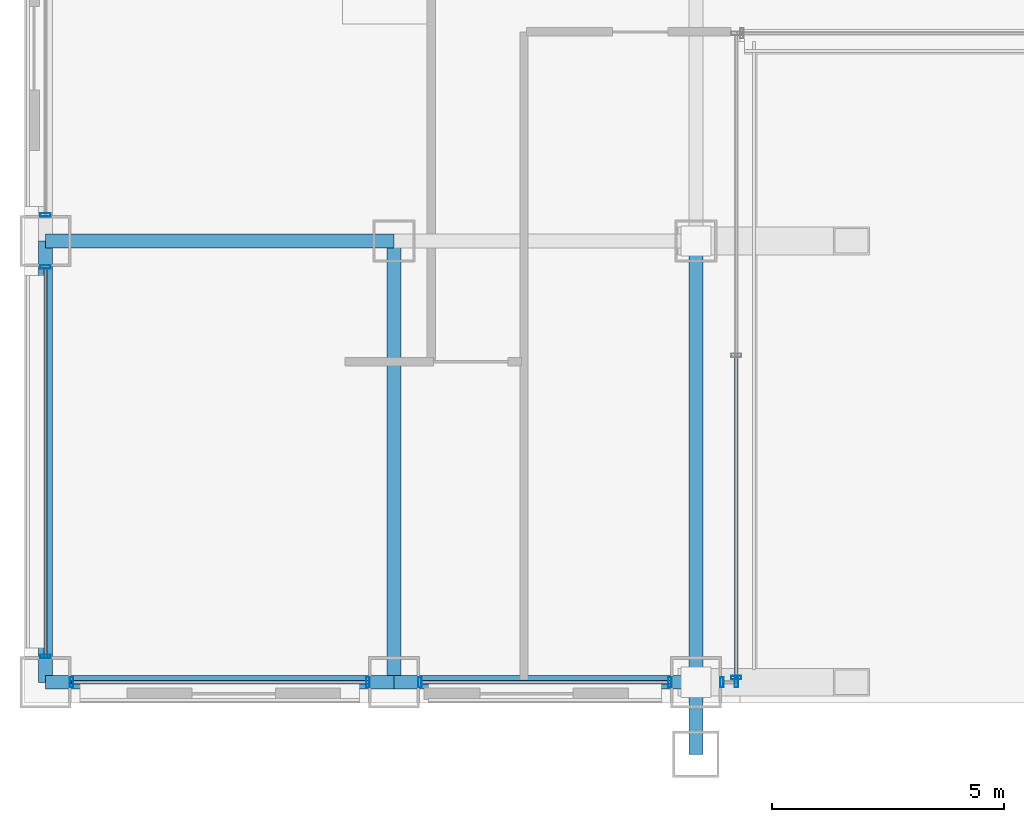
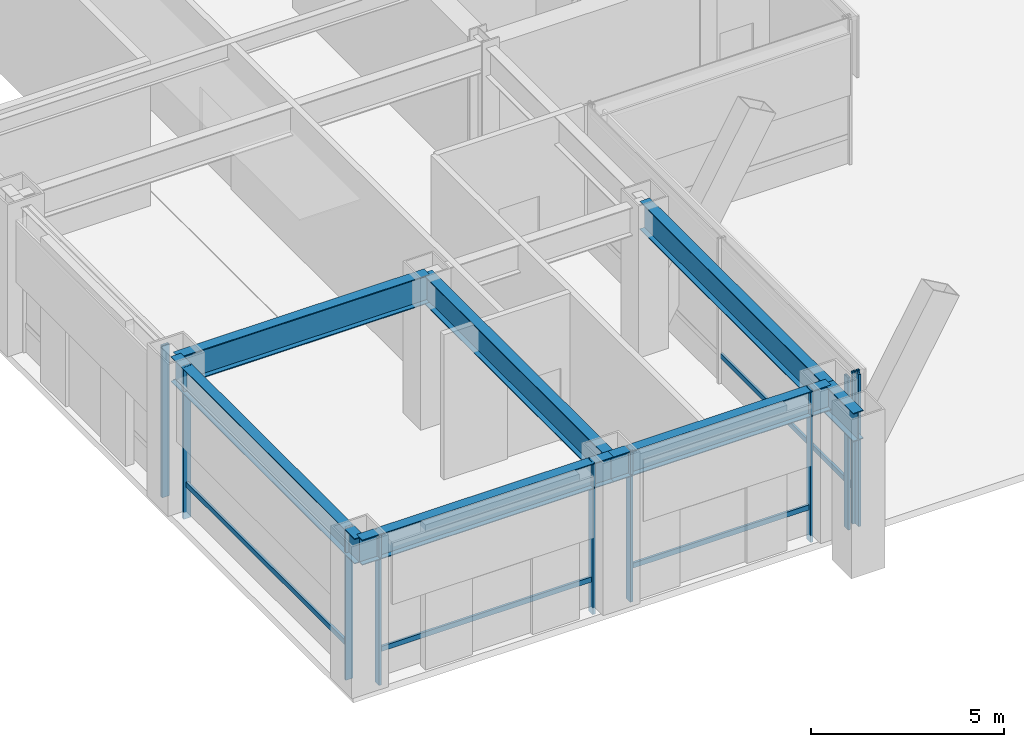
# One storey, part 2 of 37: 14 members, 7 beams, 6 elements without a shape of their own.
"""IFC4 building model written with IfcOpenShell, lengths in metres."""

from ifc_helpers import new_model, si_unit, direction, frame, origin, origin_2d, place, context, subcontext, project, spatial, hollow_rectangle, i_section, extrude, material, layer, layer_set, material_profile, profile_set, type_object, element, aggregate, save


model = new_model("IFC4")

# Units and contexts
model_context = context("Model", 3, precision=1e-05, world=origin(), true_north=direction((0.0, 1.0)))
body_context = subcontext(model_context, "Body", "Model", "MODEL_VIEW")
ifc_project = project(units=[si_unit("LENGTHUNIT", "METRE"), si_unit("AREAUNIT", "SQUARE_METRE"), si_unit("VOLUMEUNIT", "CUBIC_METRE"), si_unit("PLANEANGLEUNIT", "RADIAN"), si_unit("MASSUNIT", "GRAM", prefix="KILO")], contexts=[model_context])

# Site, building, storey
site_placement = place(None, origin())
site = spatial("IfcSite", under=ifc_project, at=site_placement, CompositionType="ELEMENT")
building_placement = place(site_placement, origin())
building = spatial("IfcBuilding", under=site, at=building_placement, Name="Brelmoor Portico Tower", CompositionType="ELEMENT")
storey_placement = place(building_placement, origin())
storey = spatial("IfcBuildingStorey", under=building, at=storey_placement, Name="L00", CompositionType="ELEMENT", Elevation=0.0)

# Beams
ifc_material_1 = material(Name="Steel Q355B", Category="steel")
ifc_material_profile_1 = material_profile(ifc_material_1, i_section(OverallWidth=0.300048828125, OverallDepth=0.89990234375, WebThickness=0.01611328125, FlangeThickness=0.028076171875, at=origin_2d()), Name="HN 900x300x16x28")
ifc_profile_set_1 = profile_set([ifc_material_profile_1], Name="Steel Q355B")
beam_type_1 = type_object("IfcBeamType", Name="BM-PG-900", PredefinedType="BEAM", material=ifc_profile_set_1)
beam_1_placement = place(storey_placement, frame((-21.050048828125, -27.550048828125, 4.1298828125), z_axis=(0.0, 1.0, 0.0), x_axis=(-1.0, 0.0, 0.0)))
element("IfcBeam", 1, at=beam_1_placement, inside=storey, type_object=beam_type_1, Name="L00 Primary Floor Girder PG-01", PredefinedType="BEAM", context=body_context, shape_type="SweptSolid", body=[
    extrude(i_section(OverallWidth=0.300048828125, OverallDepth=0.89990234375, WebThickness=0.01611328125, FlangeThickness=0.028076171875, at=origin_2d()), origin(), (0.0, 0.0, 1.0), 9.5),
])
beam_2_placement = place(storey_placement, frame((-14.550048828125, -29.10009765625, 4.1298828125), z_axis=(0.0, 1.0, 0.0), x_axis=(-1.0, 0.0, 0.0)))
element("IfcBeam", 2, at=beam_2_placement, inside=storey, type_object=beam_type_1, Name="L00 Primary Floor Girder PG-03", PredefinedType="BEAM", context=body_context, shape_type="SweptSolid", body=[
    extrude(i_section(OverallWidth=0.300048828125, OverallDepth=0.89990234375, WebThickness=0.01611328125, FlangeThickness=0.028076171875, at=origin_2d()), origin(), (0.0, 0.0, 1.0), 1.550048828125),
])
beam_3_placement = place(storey_placement, frame((-14.550048828125, -27.550048828125, 4.1298828125), z_axis=(0.0, 1.0, 0.0), x_axis=(-1.0, 0.0, 0.0)))
element("IfcBeam", 3, at=beam_3_placement, inside=storey, type_object=beam_type_1, Name="L00 Primary Floor Girder PG-04", PredefinedType="BEAM", context=body_context, shape_type="SweptSolid", body=[
    extrude(i_section(OverallWidth=0.300048828125, OverallDepth=0.89990234375, WebThickness=0.01611328125, FlangeThickness=0.028076171875, at=origin_2d()), origin(), (0.0, 0.0, 1.0), 9.5),
])
beam_4_placement = place(storey_placement, frame((-28.550048828125, -18.050048828125, 4.1298828125), z_axis=(1.0, 0.0, 0.0), x_axis=(0.0, 1.0, 0.0)))
element("IfcBeam", 4, at=beam_4_placement, inside=storey, type_object=beam_type_1, Name="L00 Primary Floor Girder PG-21", PredefinedType="BEAM", context=body_context, shape_type="SweptSolid", body=[
    extrude(i_section(OverallWidth=0.300048828125, OverallDepth=0.89990234375, WebThickness=0.01611328125, FlangeThickness=0.028076171875, at=origin_2d()), origin(), (0.0, 0.0, 1.0), 7.5),
])
ifc_material_profile_2 = material_profile(ifc_material_1, i_section(OverallWidth=0.300048828125, OverallDepth=0.800048828125, WebThickness=0.013916015625, FlangeThickness=0.02587890625, at=origin_2d()), Name="HN 800x300x14x26")
ifc_profile_set_2 = profile_set([ifc_material_profile_2], Name="Steel Q355B")
beam_type_2 = type_object("IfcBeamType", Name="BM-SP-800", PredefinedType="SPANDREL", material=ifc_profile_set_2)
beam_5_placement = place(storey_placement, frame((-28.550048828125, -27.550048828125, 4.179931640625), z_axis=(1.0, 0.0, 0.0), x_axis=(0.0, 1.0, 0.0)))
element("IfcBeam", 5, at=beam_5_placement, inside=storey, type_object=beam_type_2, Name="L00 Perimeter Spandrel Beam SP-01", PredefinedType="SPANDREL", context=body_context, shape_type="SweptSolid", body=[
    extrude(i_section(OverallWidth=0.300048828125, OverallDepth=0.800048828125, WebThickness=0.013916015625, FlangeThickness=0.02587890625, at=origin_2d()), origin(), (0.0, 0.0, 1.0), 7.5),
])
beam_6_placement = place(storey_placement, frame((-21.050048828125, -27.550048828125, 4.179931640625), z_axis=(1.0, 0.0, 0.0), x_axis=(0.0, 1.0, 0.0)))
element("IfcBeam", 6, at=beam_6_placement, inside=storey, type_object=beam_type_2, Name="L00 Perimeter Spandrel Beam SP-02", PredefinedType="SPANDREL", context=body_context, shape_type="SweptSolid", body=[
    extrude(i_section(OverallWidth=0.300048828125, OverallDepth=0.800048828125, WebThickness=0.013916015625, FlangeThickness=0.02587890625, at=origin_2d()), origin(), (0.0, 0.0, 1.0), 6.5),
])
beam_7_placement = place(storey_placement, frame((-28.550048828125, -27.550048828125, 4.179931640625), z_axis=(0.0, 1.0, 0.0), x_axis=(-1.0, 0.0, 0.0)))
element("IfcBeam", 7, at=beam_7_placement, inside=storey, type_object=beam_type_2, Name="L00 Perimeter Spandrel Beam SP-09", PredefinedType="SPANDREL", context=body_context, shape_type="SweptSolid", body=[
    extrude(i_section(OverallWidth=0.300048828125, OverallDepth=0.800048828125, WebThickness=0.013916015625, FlangeThickness=0.02587890625, at=origin_2d()), origin(), (0.0, 0.0, 1.0), 9.5),
])

# Curtain wall, members
ifc_material_2 = material(Name="Anodised Aluminium Alloy 6063-T6", Category="aluminium")
ifc_layer = layer(ifc_material_2, 0.179931640625)
ifc_layer_set = layer_set([ifc_layer], Name="Anodised Aluminium Alloy 6063-T6")
curtain_wall_type = type_object("IfcCurtainWallType", Name="CW-PODIUM-ARCH", PredefinedType="NOTDEFINED", material=ifc_layer_set)
curtain_wall_1_placement = place(storey_placement, origin())
curtain_wall_1 = element("IfcCurtainWall", 8, at=curtain_wall_1_placement, inside=storey, type_object=curtain_wall_type, Name="L00 Curtain Wall CW-L00-01-1", PredefinedType="NOTDEFINED")
ifc_material_profile_3 = material_profile(ifc_material_2, hollow_rectangle(XDim=0.074951171875, YDim=0.219970703125, WallThickness=0.0048828125, at=origin_2d()), Name="ALU MULLION 75x220")
ifc_profile_set_3 = profile_set([ifc_material_profile_3], Name="Anodised Aluminium Alloy 6063-T6")
member_type_1 = type_object("IfcMemberType", Name="MB-CW-MULL-220", PredefinedType="MULLION", material=ifc_profile_set_3)
member_1_placement = place(storey_placement, frame((-27.989990234375, -27.550048828125, -0.219970703125), z_axis=(0.0, 0.0, 1.0), x_axis=(1.0, 0.0, 0.0)))
member_1 = element("IfcMember", 9, at=member_1_placement, type_object=member_type_1, Name="CW-L00-01-1 Mullion 00", PredefinedType="MULLION", context=body_context, shape_type="SweptSolid", body=[
    extrude(hollow_rectangle(XDim=0.074951171875, YDim=0.219970703125, WallThickness=0.0048828125, at=origin_2d()), origin(), (0.0, 0.0, 1.0), 4.800048828125),
])
member_2_placement = place(storey_placement, frame((-21.610107421875, -27.550048828125, -0.219970703125), z_axis=(0.0, 0.0, 1.0), x_axis=(1.0, 0.0, 0.0)))
member_2 = element("IfcMember", 10, at=member_2_placement, type_object=member_type_1, Name="CW-L00-01-1 Mullion 01", PredefinedType="MULLION", context=body_context, shape_type="SweptSolid", body=[
    extrude(hollow_rectangle(XDim=0.074951171875, YDim=0.219970703125, WallThickness=0.0048828125, at=origin_2d()), origin(), (0.0, 0.0, 1.0), 4.800048828125),
])

curtain_wall_2_placement = place(storey_placement, origin())
curtain_wall_2 = element("IfcCurtainWall", 11, at=curtain_wall_2_placement, inside=storey, type_object=curtain_wall_type, Name="L00 Curtain Wall CW-L00-01-2", PredefinedType="NOTDEFINED")
member_3_placement = place(storey_placement, frame((-20.489990234375, -27.550048828125, -0.219970703125), z_axis=(0.0, 0.0, 1.0), x_axis=(1.0, 0.0, 0.0)))
member_3 = element("IfcMember", 12, at=member_3_placement, type_object=member_type_1, Name="CW-L00-01-2 Mullion 00", PredefinedType="MULLION", context=body_context, shape_type="SweptSolid", body=[
    extrude(hollow_rectangle(XDim=0.074951171875, YDim=0.219970703125, WallThickness=0.0048828125, at=origin_2d()), origin(), (0.0, 0.0, 1.0), 4.800048828125),
])
member_4_placement = place(storey_placement, frame((-15.110107421875, -27.550048828125, -0.219970703125), z_axis=(0.0, 0.0, 1.0), x_axis=(1.0, 0.0, 0.0)))
member_4 = element("IfcMember", 13, at=member_4_placement, type_object=member_type_1, Name="CW-L00-01-2 Mullion 01", PredefinedType="MULLION", context=body_context, shape_type="SweptSolid", body=[
    extrude(hollow_rectangle(XDim=0.074951171875, YDim=0.219970703125, WallThickness=0.0048828125, at=origin_2d()), origin(), (0.0, 0.0, 1.0), 4.800048828125),
])

curtain_wall_3_placement = place(storey_placement, origin())
curtain_wall_3 = element("IfcCurtainWall", 14, at=curtain_wall_3_placement, inside=storey, type_object=curtain_wall_type, Name="L00 Curtain Wall CW-L00-01-3", PredefinedType="NOTDEFINED")
member_5_placement = place(storey_placement, frame((-13.989990234375, -27.550048828125, -0.219970703125), z_axis=(0.0, 0.0, 1.0), x_axis=(1.0, 0.0, 0.0)))
member_5 = element("IfcMember", 15, at=member_5_placement, type_object=member_type_1, Name="CW-L00-01-3 Mullion 00", PredefinedType="MULLION", context=body_context, shape_type="SweptSolid", body=[
    extrude(hollow_rectangle(XDim=0.074951171875, YDim=0.219970703125, WallThickness=0.0048828125, at=origin_2d()), origin(), (0.0, 0.0, 1.0), 4.800048828125),
])
member_6_placement = place(storey_placement, frame((-13.679931640625, -27.550048828125, -0.219970703125), z_axis=(0.0, 0.0, 1.0), x_axis=(1.0, 0.0, 0.0)))
member_6 = element("IfcMember", 16, at=member_6_placement, type_object=member_type_1, Name="CW-L00-01-3 Mullion 01", PredefinedType="MULLION", context=body_context, shape_type="SweptSolid", body=[
    extrude(hollow_rectangle(XDim=0.074951171875, YDim=0.219970703125, WallThickness=0.0048828125, at=origin_2d()), origin(), (0.0, 0.0, 1.0), 4.800048828125),
])
aggregate(curtain_wall_3, [member_5, member_6])

curtain_wall_4_placement = place(storey_placement, origin())
curtain_wall_4 = element("IfcCurtainWall", 17, at=curtain_wall_4_placement, inside=storey, type_object=curtain_wall_type, Name="L00 Curtain Wall CW-L00-05-1", PredefinedType="NOTDEFINED")
member_7_placement = place(storey_placement, frame((-28.550048828125, -26.989990234375, -0.219970703125), z_axis=(0.0, 0.0, 1.0), x_axis=(0.0, 1.0, 0.0)))
member_7 = element("IfcMember", 18, at=member_7_placement, type_object=member_type_1, Name="CW-L00-05-1 Mullion 00", PredefinedType="MULLION", context=body_context, shape_type="SweptSolid", body=[
    extrude(hollow_rectangle(XDim=0.074951171875, YDim=0.219970703125, WallThickness=0.0048828125, at=origin_2d()), origin(), (0.0, 0.0, 1.0), 4.800048828125),
])
member_8_placement = place(storey_placement, frame((-28.550048828125, -18.610107421875, -0.219970703125), z_axis=(0.0, 0.0, 1.0), x_axis=(0.0, 1.0, 0.0)))
member_8 = element("IfcMember", 19, at=member_8_placement, type_object=member_type_1, Name="CW-L00-05-1 Mullion 01", PredefinedType="MULLION", context=body_context, shape_type="SweptSolid", body=[
    extrude(hollow_rectangle(XDim=0.074951171875, YDim=0.219970703125, WallThickness=0.0048828125, at=origin_2d()), origin(), (0.0, 0.0, 1.0), 4.800048828125),
])

# Curtain wall, member
curtain_wall_5_placement = place(storey_placement, origin())
curtain_wall_5 = element("IfcCurtainWall", 20, at=curtain_wall_5_placement, inside=storey, type_object=curtain_wall_type, Name="L00 Curtain Wall CW-L00-05-2", PredefinedType="NOTDEFINED")
member_9_placement = place(storey_placement, frame((-28.550048828125, -17.489990234375, -0.219970703125), z_axis=(0.0, 0.0, 1.0), x_axis=(0.0, 1.0, 0.0)))
member_9 = element("IfcMember", 21, at=member_9_placement, type_object=member_type_1, Name="CW-L00-05-2 Mullion 00", PredefinedType="MULLION", context=body_context, shape_type="SweptSolid", body=[
    extrude(hollow_rectangle(XDim=0.074951171875, YDim=0.219970703125, WallThickness=0.0048828125, at=origin_2d()), origin(), (0.0, 0.0, 1.0), 4.800048828125),
])
aggregate(curtain_wall_5, [member_9])

curtain_wall_6_placement = place(storey_placement, origin())
curtain_wall_6 = element("IfcCurtainWall", 22, at=curtain_wall_6_placement, inside=storey, type_object=curtain_wall_type, Name="L00 Curtain Wall CW-L00-07", PredefinedType="NOTDEFINED")
member_10_placement = place(storey_placement, frame((-13.679931640625, -27.449951171875, -0.219970703125), z_axis=(0.0, 0.0, 1.0), x_axis=(0.0, 1.0, 0.0)))
member_10 = element("IfcMember", 23, at=member_10_placement, type_object=member_type_1, Name="CW-L00-07 Mullion 00", PredefinedType="MULLION", context=body_context, shape_type="SweptSolid", body=[
    extrude(hollow_rectangle(XDim=0.074951171875, YDim=0.219970703125, WallThickness=0.0048828125, at=origin_2d()), origin(), (0.0, 0.0, 1.0), 4.800048828125),
])

# Member
ifc_material_profile_4 = material_profile(ifc_material_2, hollow_rectangle(XDim=0.070068359375, YDim=0.159912109375, WallThickness=0.00390625, at=origin_2d()), Name="ALU TRANSOM 70x160")
ifc_profile_set_4 = profile_set([ifc_material_profile_4], Name="Anodised Aluminium Alloy 6063-T6")
member_type_2 = type_object("IfcMemberType", Name="MB-CW-TRAN-160", PredefinedType="USERDEFINED", material=ifc_profile_set_4)
member_11_placement = place(storey_placement, frame((-27.989990234375, -27.550048828125, 0.85009765625), z_axis=(1.0, 0.0, 0.0), x_axis=(0.0, 1.0, 0.0)))
member_11 = element("IfcMember", 24, at=member_11_placement, type_object=member_type_2, Name="CW-L00-01-1 Transom 1-00", ObjectType="TRANSOM", PredefinedType="USERDEFINED", context=body_context, shape_type="SweptSolid", body=[
    extrude(hollow_rectangle(XDim=0.070068359375, YDim=0.159912109375, WallThickness=0.00390625, at=origin_2d()), origin(), (0.0, 0.0, 1.0), 6.3798828125),
])

aggregate(curtain_wall_1, [member_1, member_2, member_11])

member_12_placement = place(storey_placement, frame((-20.489990234375, -27.550048828125, 0.85009765625), z_axis=(1.0, 0.0, 0.0), x_axis=(0.0, 1.0, 0.0)))
member_12 = element("IfcMember", 25, at=member_12_placement, type_object=member_type_2, Name="CW-L00-01-2 Transom 1-00", ObjectType="TRANSOM", PredefinedType="USERDEFINED", context=body_context, shape_type="SweptSolid", body=[
    extrude(hollow_rectangle(XDim=0.070068359375, YDim=0.159912109375, WallThickness=0.00390625, at=origin_2d()), origin(), (0.0, 0.0, 1.0), 5.3798828125),
])

aggregate(curtain_wall_2, [member_3, member_4, member_12])

member_13_placement = place(storey_placement, frame((-28.550048828125, -26.989990234375, 0.85009765625), z_axis=(0.0, 1.0, 0.0), x_axis=(-1.0, 0.0, 0.0)))
member_13 = element("IfcMember", 26, at=member_13_placement, type_object=member_type_2, Name="CW-L00-05-1 Transom 1-00", ObjectType="TRANSOM", PredefinedType="USERDEFINED", context=body_context, shape_type="SweptSolid", body=[
    extrude(hollow_rectangle(XDim=0.070068359375, YDim=0.159912109375, WallThickness=0.00390625, at=origin_2d()), origin(), (0.0, 0.0, 1.0), 8.3798828125),
])

aggregate(curtain_wall_4, [member_7, member_8, member_13])

member_14_placement = place(storey_placement, frame((-13.679931640625, -27.449951171875, 0.85009765625), z_axis=(0.0, 1.0, 0.0), x_axis=(-1.0, 0.0, 0.0)))
member_14 = element("IfcMember", 27, at=member_14_placement, type_object=member_type_2, Name="CW-L00-07 Transom 1-00", ObjectType="TRANSOM", PredefinedType="USERDEFINED", context=body_context, shape_type="SweptSolid", body=[
    extrude(hollow_rectangle(XDim=0.070068359375, YDim=0.159912109375, WallThickness=0.00390625, at=origin_2d()), origin(), (0.0, 0.0, 1.0), 6.93505859375),
])

aggregate(curtain_wall_6, [member_10, member_14])

save(model, "model.ifc")
